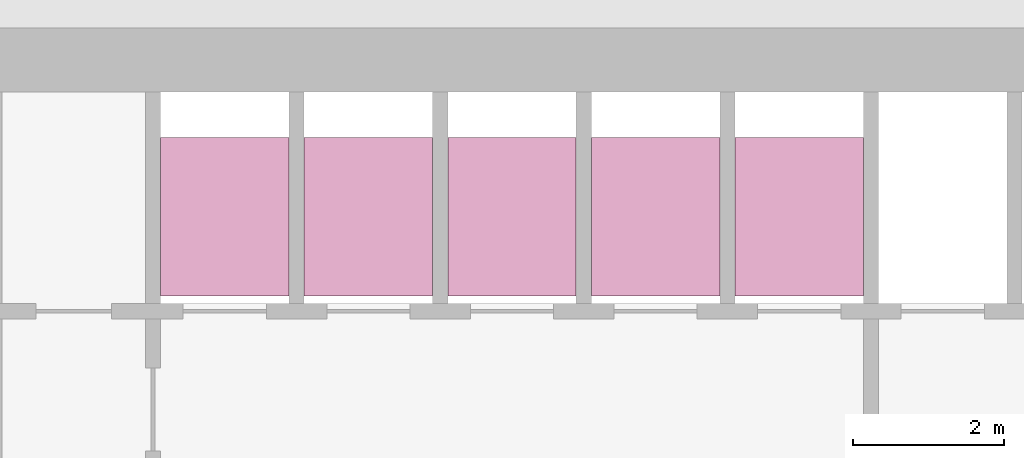
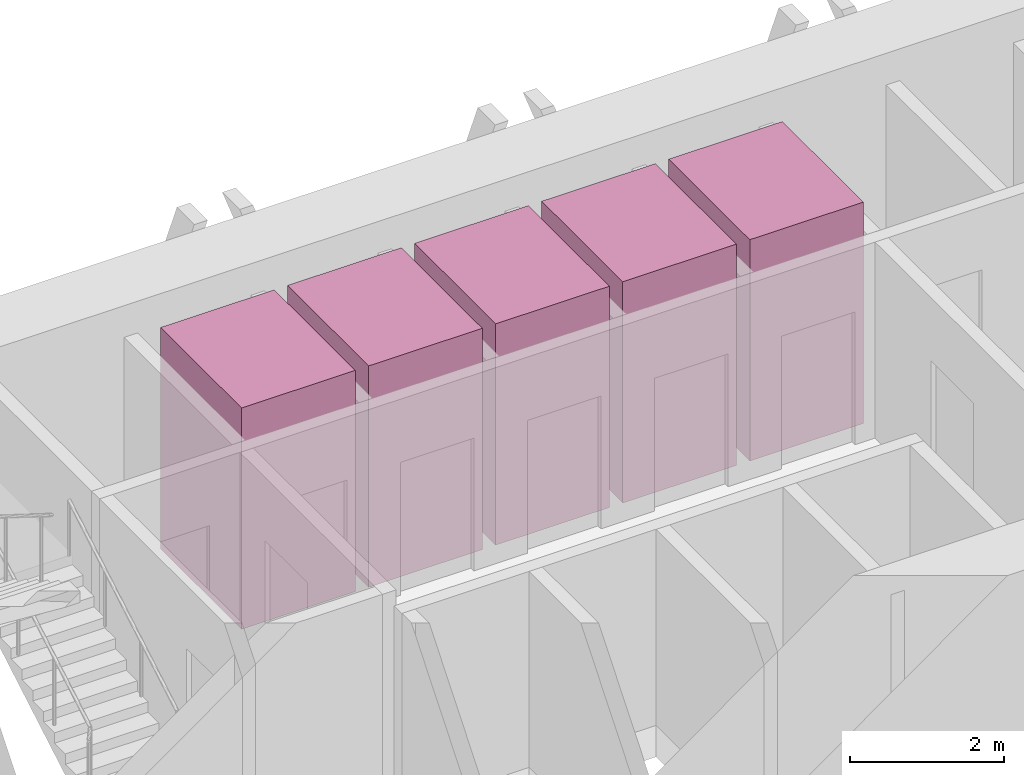
# One storey, part 18 of 18: 5 transport elements.
"""IFC4 building model written with IfcOpenShell, lengths in metres."""

from ifc_helpers import new_model, si_unit, direction, frame, origin, origin_2d, place, context, subcontext, project, spatial, rectangle, extrude, material, type_object, element, save


model = new_model("IFC4")

# Units and contexts
model_context = context("Model", 3, precision=1e-05, world=origin(), true_north=direction((0.0, 1.0)))
body_context = subcontext(model_context, "Body", "Model", "MODEL_VIEW")
ifc_project = project(units=[si_unit("LENGTHUNIT", "METRE"), si_unit("AREAUNIT", "SQUARE_METRE"), si_unit("VOLUMEUNIT", "CUBIC_METRE"), si_unit("PLANEANGLEUNIT", "RADIAN"), si_unit("MASSUNIT", "GRAM", prefix="KILO")], contexts=[model_context])

# Site, building, storey
site_placement = place(None, origin())
site = spatial("IfcSite", under=ifc_project, at=site_placement, CompositionType="ELEMENT")
building_placement = place(site_placement, origin())
building = spatial("IfcBuilding", under=site, at=building_placement, Name="Altiplano Prism Tower", CompositionType="ELEMENT")
storey_placement = place(building_placement, frame((0.0, 0.0, 48.60009765625)))
storey = spatial("IfcBuildingStorey", under=building, at=storey_placement, Name="L11", CompositionType="ELEMENT", Elevation=48.60009765625)

# Transport elements
ifc_material = material(Name="Stainless steel lift car", Category="steel")
transport_element_type = type_object("IfcTransportElementType", Name="Passenger lift car 1600 x 2100", PredefinedType="ELEVATOR", material=ifc_material)
for number, where, z_axis, x_axis, name in (
    (1, (79.050048828125, 101.75, 0.0498046875), (0.0, 0.0, 1.0), (1.0, 0.0, 0.0), "Low Zone Passenger Lift 1"),
    (2, (80.949951171875, 101.75, 0.0498046875), (0.0, 0.0, 1.0), (1.0, 0.0, 0.0), "Low Zone Passenger Lift 2"),
    (3, (82.85009765625, 101.75, 0.0498046875), (0.0, 0.0, 1.0), (1.0, 0.0, 0.0), "Low Zone Passenger Lift 3"),
    (4, (84.75, 101.75, 0.0498046875), (0.0, 0.0, 1.0), (1.0, 0.0, 0.0), "Low Zone Passenger Lift 4"),
    (5, (86.64990234375, 101.75, 0.0498046875), (0.0, 0.0, 1.0), (1.0, 0.0, 0.0), "Low Zone Passenger Lift 5"),
):
    element("IfcTransportElement", number, at=place(storey_placement, frame(where, z_axis=z_axis, x_axis=x_axis)), inside=storey, type_object=transport_element_type, Name=name, PredefinedType="ELEVATOR", context=body_context, shape_type="SweptSolid", body=[
        extrude(rectangle(XDim=1.699951171875, YDim=2.10009765625, at=origin_2d()), origin(), (0.0, 0.0, 1.0), 3.5),
    ])

save(model, "model.ifc")
